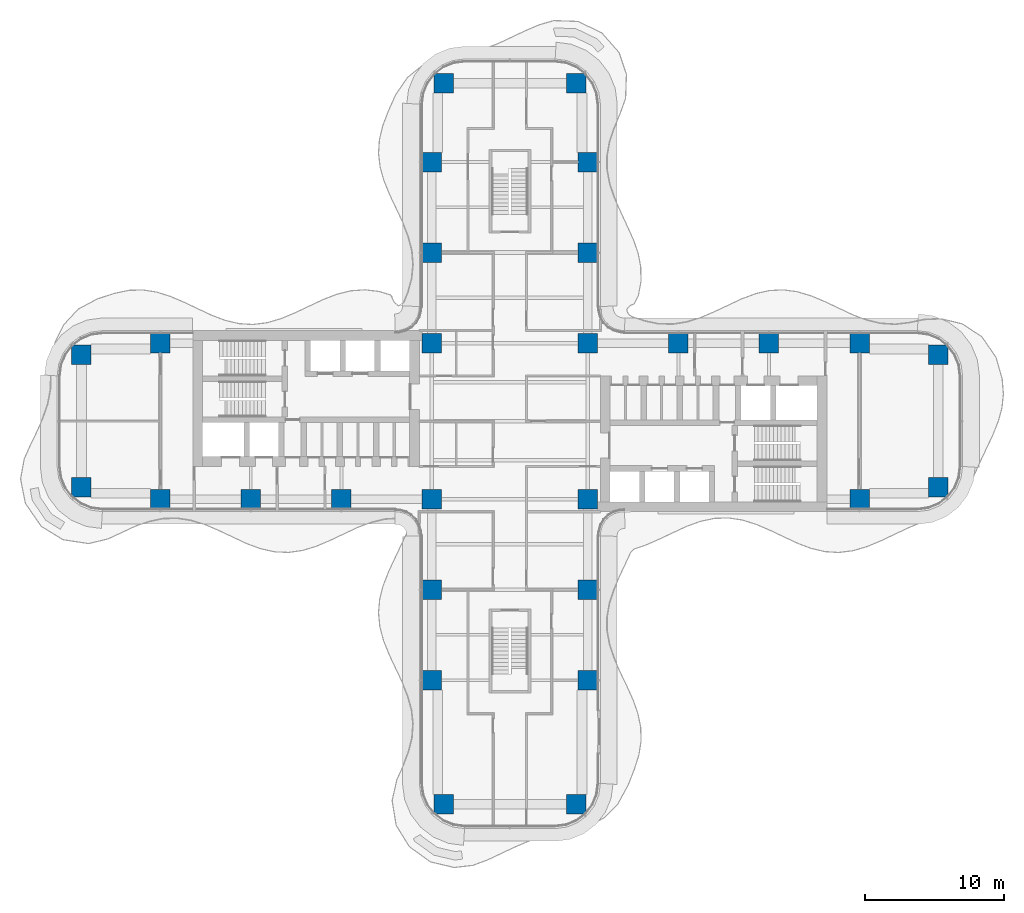
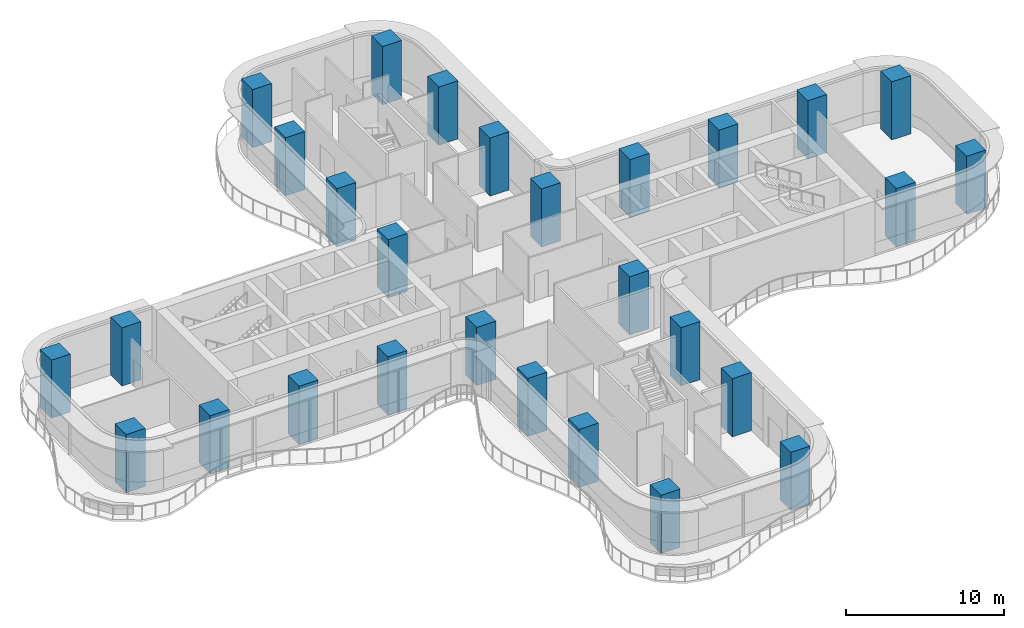
# One storey, part 1 of 23: 28 columns.
"""IFC4 building model written with IfcOpenShell, lengths in metres."""

from ifc_helpers import new_model, si_unit, direction, frame, origin, origin_2d, place, context, subcontext, project, spatial, rectangle, extrude, source, transform, mapped, material, material_profile, profile_set, type_object, element, save


model = new_model("IFC4")

# Units and contexts
model_context = context("Model", 3, precision=1e-05, world=origin(), true_north=direction((0.0, 1.0)))
body_context = subcontext(model_context, "Body", "Model", "MODEL_VIEW")
ifc_project = project(units=[si_unit("LENGTHUNIT", "METRE"), si_unit("AREAUNIT", "SQUARE_METRE"), si_unit("VOLUMEUNIT", "CUBIC_METRE"), si_unit("PLANEANGLEUNIT", "RADIAN"), si_unit("MASSUNIT", "GRAM", prefix="KILO")], contexts=[model_context])

# Site, building, storey
site_placement = place(None, origin())
site = spatial("IfcSite", under=ifc_project, at=site_placement, CompositionType="ELEMENT")
building_placement = place(site_placement, origin())
building = spatial("IfcBuilding", under=site, at=building_placement, Name="Trellis Farm Tower", CompositionType="ELEMENT")
storey_placement = place(building_placement, frame((0.0, 0.0, 74.5)))
storey = spatial("IfcBuildingStorey", under=building, at=storey_placement, Name="L15", CompositionType="ELEMENT", Elevation=74.5)

# Columns
ifc_material = material(Name="Concrete C80/95", Category="concrete")
ifc_material_profile = material_profile(ifc_material, rectangle(XDim=1.39990234375, YDim=1.39990234375, at=origin_2d()), Name="RC column 1400x1400 C80/95")
ifc_profile_set = profile_set([ifc_material_profile], Name="Concrete C80/95")
column_type = type_object("IfcColumnType", Name="RC column 1400x1400 C80/95", PredefinedType="COLUMN", material=ifc_profile_set)
shared_shape = source(origin(), body_context, "Body", "SweptSolid", [
    extrude(rectangle(XDim=1.39990234375, YDim=1.39990234375, at=origin_2d()), origin(), (0.0, 0.0, 1.0), 4.5),
])
for number, where, z_axis, x_axis, name in (
    (1, (12.10009765625, 5.60009765625, 0.0), (0.0, 0.0, 1.0), (1.0, 0.0, 0.0), "Column"),
    (2, (18.60009765625, 5.60009765625, 0.0), (0.0, 0.0, 1.0), (1.0, 0.0, 0.0), "Column"),
    (3, (25.10009765625, 5.60009765625, 0.0), (0.0, 0.0, 1.0), (1.0, 0.0, 0.0), "Column"),
    (4, (30.75, 4.75, 0.0), (0.0, 0.0, 1.0), (1.0, 0.0, 0.0), "Column"),
    (5, (25.10009765625, -5.60009765625, 0.0), (0.0, 0.0, 1.0), (1.0, 0.0, 0.0), "Column"),
    (6, (30.75, -4.75, 0.0), (0.0, 0.0, 1.0), (1.0, 0.0, 0.0), "Column"),
    (7, (-5.60009765625, 12.10009765625, 0.0), (0.0, 0.0, 1.0), (1.0, 0.0, 0.0), "Column"),
    (8, (-5.60009765625, 18.60009765625, 0.0), (0.0, 0.0, 1.0), (1.0, 0.0, 0.0), "Column"),
    (9, (-4.75, 24.25, 0.0), (0.0, 0.0, 1.0), (1.0, 0.0, 0.0), "Column"),
    (10, (5.60009765625, 12.10009765625, 0.0), (0.0, 0.0, 1.0), (1.0, 0.0, 0.0), "Column"),
    (11, (5.60009765625, 18.60009765625, 0.0), (0.0, 0.0, 1.0), (1.0, 0.0, 0.0), "Column"),
    (12, (4.75, 24.25, 0.0), (0.0, 0.0, 1.0), (1.0, 0.0, 0.0), "Column"),
    (13, (5.60009765625, 5.60009765625, 0.0), (0.0, 0.0, 1.0), (1.0, 0.0, 0.0), "Column"),
    (14, (-5.60009765625, 5.60009765625, 0.0), (0.0, 0.0, 1.0), (1.0, 0.0, 0.0), "Column"),
    (15, (5.60009765625, -5.60009765625, 0.0), (0.0, 0.0, 1.0), (1.0, 0.0, 0.0), "Column"),
    (16, (-5.60009765625, -5.60009765625, 0.0), (0.0, 0.0, 1.0), (1.0, 0.0, 0.0), "Column"),
    (17, (5.60009765625, -12.10009765625, 0.0), (0.0, 0.0, 1.0), (1.0, 0.0, 0.0), "Column"),
    (18, (5.60009765625, -18.60009765625, 0.0), (0.0, 0.0, 1.0), (1.0, 0.0, 0.0), "Column"),
    (19, (4.75, -27.5, 0.0), (0.0, 0.0, 1.0), (1.0, 0.0, 0.0), "Column"),
    (20, (-5.60009765625, -12.10009765625, 0.0), (0.0, 0.0, 1.0), (1.0, 0.0, 0.0), "Column"),
    (21, (-5.60009765625, -18.60009765625, 0.0), (0.0, 0.0, 1.0), (1.0, 0.0, 0.0), "Column"),
    (22, (-4.75, -27.5, 0.0), (0.0, 0.0, 1.0), (1.0, 0.0, 0.0), "Column"),
    (23, (-12.10009765625, -5.60009765625, 0.0), (0.0, 0.0, 1.0), (1.0, 0.0, 0.0), "Column"),
    (24, (-18.60009765625, -5.60009765625, 0.0), (0.0, 0.0, 1.0), (1.0, 0.0, 0.0), "Column"),
    (25, (-25.10009765625, -5.60009765625, 0.0), (0.0, 0.0, 1.0), (1.0, 0.0, 0.0), "Column"),
    (26, (-30.75, -4.75, 0.0), (0.0, 0.0, 1.0), (1.0, 0.0, 0.0), "Column"),
    (27, (-25.10009765625, 5.60009765625, 0.0), (0.0, 0.0, 1.0), (1.0, 0.0, 0.0), "Column"),
    (28, (-30.75, 4.75, 0.0), (0.0, 0.0, 1.0), (1.0, 0.0, 0.0), "Column"),
):
    element("IfcColumn", number, at=place(storey_placement, frame(where, z_axis=z_axis, x_axis=x_axis)), inside=storey, type_object=column_type, Name=name, PredefinedType="COLUMN", context=body_context, shape_type="MappedRepresentation", body=[
        mapped(shared_shape, transform((0.0, 0.0, 0.0))),
    ])

save(model, "model.ifc")
